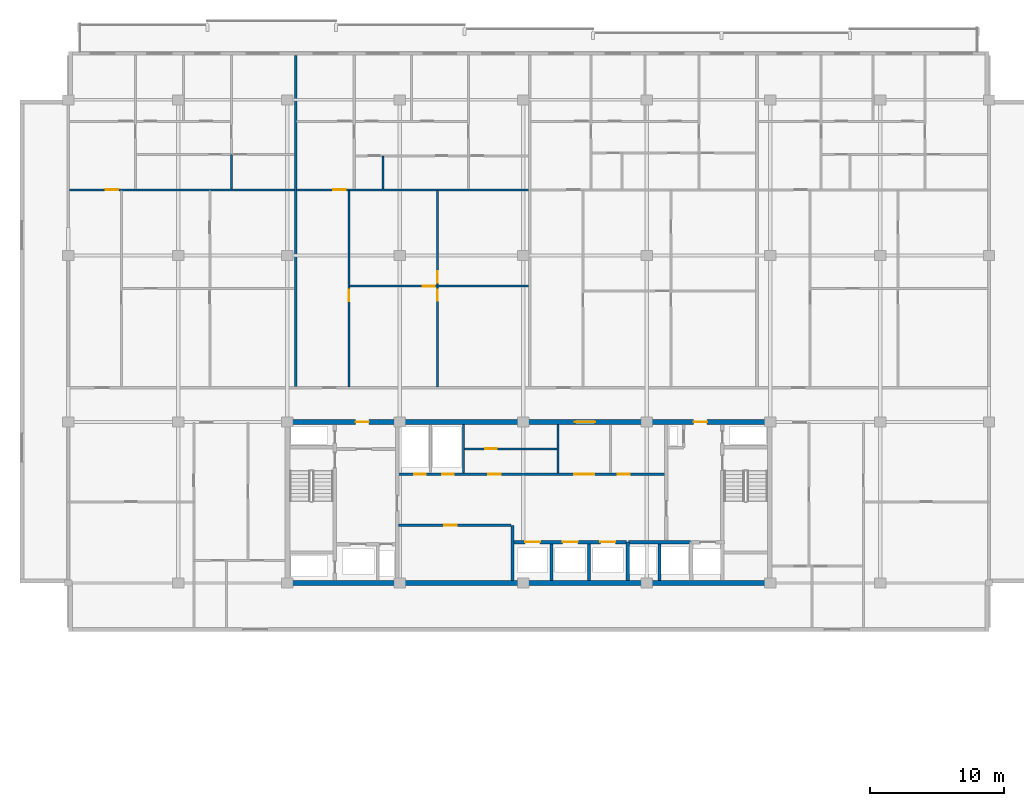
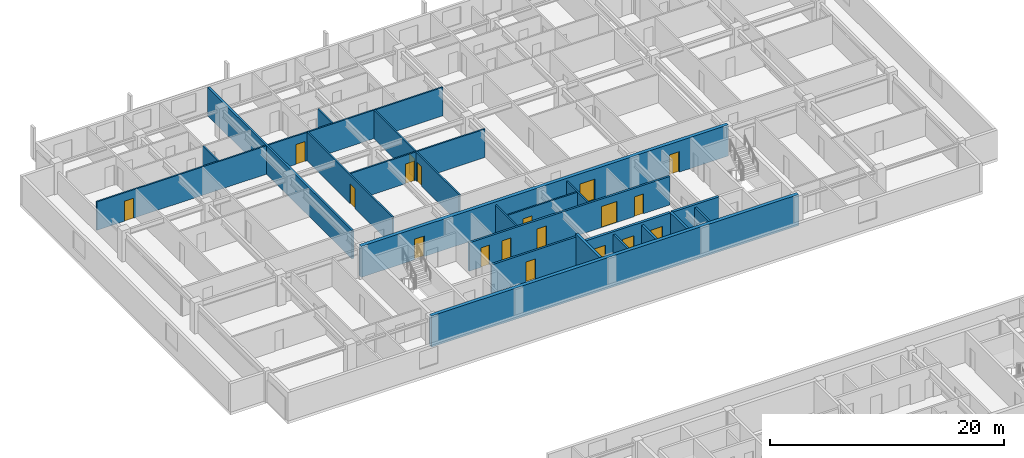
# One storey, part 12 of 23: 22 walls, 19 doors, 19 openings.
"""IFC4 building model written with IfcOpenShell, lengths in metres."""

from ifc_helpers import new_model, si_unit, direction, frame, frame_2d, origin, place, context, subcontext, project, spatial, rectangle, extrude, material, layer, layer_set, type_object, element, fill, save


model = new_model("IFC4")

# Units and contexts
model_context = context("Model", 3, precision=1e-05, world=origin(), true_north=direction((0.0, 1.0)))
body_context = subcontext(model_context, "Body", "Model", "MODEL_VIEW")
ifc_project = project(units=[si_unit("LENGTHUNIT", "METRE"), si_unit("AREAUNIT", "SQUARE_METRE"), si_unit("VOLUMEUNIT", "CUBIC_METRE"), si_unit("PLANEANGLEUNIT", "RADIAN"), si_unit("MASSUNIT", "GRAM", prefix="KILO")], contexts=[model_context])

# Site, building, storey
site_placement = place(None, origin())
site = spatial("IfcSite", under=ifc_project, at=site_placement, CompositionType="ELEMENT")
building_placement = place(site_placement, origin())
building = spatial("IfcBuilding", under=site, at=building_placement, Name="Korimba Cascade Residences", CompositionType="ELEMENT")
storey_placement = place(building_placement, frame((0.0, 0.0, 165.35009765625)))
storey = spatial("IfcBuildingStorey", under=building, at=storey_placement, Name="L47", CompositionType="ELEMENT", Elevation=165.35009765625)

# Wall
ifc_material_1 = material(Name="Concrete C65/80", Category="concrete")
ifc_layer_1 = layer(ifc_material_1, 0.35009765625)
ifc_layer_set_1 = layer_set([ifc_layer_1], Name="Concrete C65/80")
wall_type_1 = type_object("IfcWallType", Name="WAL-CORE-350", PredefinedType="SHEAR", material=ifc_layer_set_1)
wall_1_placement = place(storey_placement, frame((75.949951171875, 55.199951171875, 0.0), z_axis=(0.0, 0.0, 1.0), x_axis=(1.0, 0.0, 0.0)))
element("IfcWall", 1, at=wall_1_placement, inside=storey, type_object=wall_type_1, Name="L47 Core Shear Wall CW-L47-T1-S", PredefinedType="SHEAR", context=body_context, shape_type="SweptSolid", body=[
    extrude(rectangle(XDim=36.300048828125, YDim=0.35009765625, at=frame_2d((18.14990234375, 0.0))), origin(), (0.0, 0.0, 1.0), 3.25),
])

# Wall, openings, doors
wall_2_placement = place(storey_placement, frame((75.949951171875, 67.199951171875, 0.0), z_axis=(0.0, 0.0, 1.0), x_axis=(1.0, 0.0, 0.0)))
wall_2 = element("IfcWall", 2, at=wall_2_placement, inside=storey, type_object=wall_type_1, Name="L47 Core Shear Wall CW-L47-T1-N", PredefinedType="SHEAR", context=body_context, shape_type="SweptSolid", body=[
    extrude(rectangle(XDim=36.300048828125, YDim=0.35009765625, at=frame_2d((18.14990234375, 0.0))), origin(), (0.0, 0.0, 1.0), 3.25),
])
opening_1_placement = place(wall_2_placement, frame((5.25, 0.0, 0.0)))
opening_1 = element("IfcOpeningElement", 3, at=opening_1_placement, cuts=wall_2, Name="Opening D-FD5", PredefinedType="OPENING", context=body_context, shape_type="SweptSolid", body=[
    extrude(rectangle(XDim=1.0, YDim=2.14990234375, at=frame_2d((0.5, 1.074951171875))), frame((0.0, 0.18505859375, 0.0), z_axis=(0.0, -1.0, 0.0), x_axis=(1.0, 0.0, 0.0)), (0.0, 0.0, 1.0), 0.3701171875),
])
opening_2_placement = place(wall_2_placement, frame((21.60009765625, 0.0, 0.0)))
opening_2 = element("IfcOpeningElement", 4, at=opening_2_placement, cuts=wall_2, Name="Opening D-FD8", PredefinedType="OPENING", context=body_context, shape_type="SweptSolid", body=[
    extrude(rectangle(XDim=1.5, YDim=2.199951171875, at=frame_2d((0.75, 1.10009765625))), frame((0.0, 0.18505859375, 0.0), z_axis=(0.0, -1.0, 0.0), x_axis=(1.0, 0.0, 0.0)), (0.0, 0.0, 1.0), 0.3701171875),
])
opening_3_placement = place(wall_2_placement, frame((30.449951171875, 0.0, 0.0)))
opening_3 = element("IfcOpeningElement", 5, at=opening_3_placement, cuts=wall_2, Name="Opening D-FD5", PredefinedType="OPENING", context=body_context, shape_type="SweptSolid", body=[
    extrude(rectangle(XDim=1.0, YDim=2.14990234375, at=frame_2d((0.5, 1.074951171875))), frame((0.0, 0.18505859375, 0.0), z_axis=(0.0, -1.0, 0.0), x_axis=(1.0, 0.0, 0.0)), (0.0, 0.0, 1.0), 0.3701171875),
])
ifc_material_2 = material(Name="Fire-Rated Acoustic Timber Vestibule Door", Category="wood")
door_type_1 = type_object("IfcDoorType", Name="DR-FD90-1000", OperationType="NOTDEFINED", PredefinedType="DOOR", material=ifc_material_2)
door_1_placement = place(opening_1_placement, origin())
door_1 = element("IfcDoor", 6, at=door_1_placement, inside=storey, type_object=door_type_1, Name="L47 T1 West Core Vestibule Fire Door", OperationType="SINGLE_SWING_LEFT", OverallHeight=2.14990234375, OverallWidth=1.0, PredefinedType="DOOR", context=body_context, shape_type="SweptSolid", body=[
    extrude(rectangle(XDim=1.0, YDim=2.14990234375, at=frame_2d((0.5, 1.074951171875))), frame((0.0, 0.02490234375, 0.0), z_axis=(0.0, -1.0, 0.0), x_axis=(1.0, 0.0, 0.0)), (0.0, 0.0, 1.0), 0.050048828125),
])
fill(opening_1, door_1)
door_2_placement = place(opening_3_placement, origin())
door_2 = element("IfcDoor", 7, at=door_2_placement, inside=storey, type_object=door_type_1, Name="L47 T1 East Firefighting Vestibule Fire Door", OperationType="SINGLE_SWING_RIGHT", OverallHeight=2.14990234375, OverallWidth=1.0, PredefinedType="DOOR", context=body_context, shape_type="SweptSolid", body=[
    extrude(rectangle(XDim=1.0, YDim=2.14990234375, at=frame_2d((0.5, 1.074951171875))), frame((0.0, 0.02490234375, 0.0), z_axis=(0.0, -1.0, 0.0), x_axis=(1.0, 0.0, 0.0)), (0.0, 0.0, 1.0), 0.050048828125),
])
fill(opening_3, door_2)
ifc_material_3 = material(Name="Fire-Rated Glazed Lift Lobby Double Door", Category="glass")
door_type_2 = type_object("IfcDoorType", Name="DR-FD90-1500", OperationType="NOTDEFINED", PredefinedType="DOOR", material=ifc_material_3)
door_3_placement = place(opening_2_placement, origin())
door_3 = element("IfcDoor", 8, at=door_3_placement, inside=storey, type_object=door_type_2, Name="L47 T1 Lift Lobby Fire Door", OperationType="DOUBLE_DOOR_SINGLE_SWING", OverallHeight=2.199951171875, OverallWidth=1.5, PredefinedType="DOOR", context=body_context, shape_type="SweptSolid", body=[
    extrude(rectangle(XDim=1.5, YDim=2.199951171875, at=frame_2d((0.75, 1.10009765625))), frame((0.0, 0.02490234375, 0.0), z_axis=(0.0, -1.0, 0.0), x_axis=(1.0, 0.0, 0.0)), (0.0, 0.0, 1.0), 0.050048828125),
])
fill(opening_2, door_3)

# Walls
ifc_material_4 = material(Name="Precast concrete C40/50", Category="concrete")
ifc_layer_2 = layer(ifc_material_4, 0.199951171875)
ifc_layer_set_2 = layer_set([ifc_layer_2], Name="Precast concrete C40/50")
wall_type_2 = type_object("IfcWallType", Name="WAL-IT-200", PredefinedType="PARTITIONING", material=ifc_layer_set_2)
wall_3_placement = place(storey_placement, frame((76.735107421875, 69.830078125, 0.0), z_axis=(0.0, 0.0, 1.0), x_axis=(0.0, 1.0, 0.0)))
element("IfcWall", 9, at=wall_3_placement, inside=storey, type_object=wall_type_2, Name="L47 Partition Wall WAL-L47-T1-DEM-1", PredefinedType="PARTITIONING", context=body_context, shape_type="SweptSolid", body=[
    extrude(rectangle(XDim=24.669921875, YDim=0.199951171875, at=frame_2d((12.3349609375, 0.0))), origin(), (0.0, 0.0, 1.0), 2.969970703125),
])
ifc_material_5 = material(Name="Insulated Acoustic Stud Partition", Category="gypsum")
ifc_layer_3 = layer(ifc_material_5, 0.14990234375)
ifc_layer_set_3 = layer_set([ifc_layer_3], Name="Insulated Acoustic Stud Partition")
wall_type_3 = type_object("IfcWallType", Name="WAL-PART-150", PredefinedType="PARTITIONING", material=ifc_layer_set_3)
wall_4_placement = place(storey_placement, frame((89.25, 63.39990234375, 0.0), z_axis=(0.0, 0.0, 1.0), x_axis=(0.0, 1.0, 0.0)))
element("IfcWall", 10, at=wall_4_placement, inside=storey, type_object=wall_type_3, Name="L47 Partition Wall CW-L47-T1-PRDIV", PredefinedType="PARTITIONING", context=body_context, shape_type="SweptSolid", body=[
    extrude(rectangle(XDim=3.60009765625, YDim=0.14990234375, at=frame_2d((1.800048828125, 0.0))), origin(), (0.0, 0.0, 1.0), 2.969970703125),
])

# Wall, opening, door
wall_5_placement = place(storey_placement, frame((89.25, 65.199951171875, 0.0), z_axis=(0.0, 0.0, 1.0), x_axis=(1.0, 0.0, 0.0)))
wall_5 = element("IfcWall", 11, at=wall_5_placement, inside=storey, type_object=wall_type_3, Name="L47 Partition Wall CW-L47-T1-CA2HZ", PredefinedType="PARTITIONING", context=body_context, shape_type="SweptSolid", body=[
    extrude(rectangle(XDim=7.050048828125, YDim=0.14990234375, at=frame_2d((3.52490234375, 0.0))), origin(), (0.0, 0.0, 1.0), 2.969970703125),
])
opening_4_placement = place(wall_5_placement, frame((1.60009765625, 0.0, 0.0)))
opening_4 = element("IfcOpeningElement", 12, at=opening_4_placement, cuts=wall_5, Name="Opening D-IN2", PredefinedType="OPENING", context=body_context, shape_type="SweptSolid", body=[
    extrude(rectangle(XDim=0.8798828125, YDim=2.06005859375, at=frame_2d((0.43994140625, 1.030029296875))), frame((0.0, 0.0849609375, 0.0), z_axis=(0.0, -1.0, 0.0), x_axis=(1.0, 0.0, 0.0)), (0.0, 0.0, 1.0), 0.169921875),
])
ifc_material_6 = material(Name="Acoustic Timber Bedroom Door", Category="wood")
door_type_3 = type_object("IfcDoorType", Name="DR-INT-880", OperationType="NOTDEFINED", PredefinedType="DOOR", material=ifc_material_6)
door_4_placement = place(opening_4_placement, origin())
door_4 = element("IfcDoor", 13, at=door_4_placement, inside=storey, type_object=door_type_3, Name="L47 Pram Store Door", OperationType="SINGLE_SWING_RIGHT", OverallHeight=2.06005859375, OverallWidth=0.8798828125, PredefinedType="DOOR", context=body_context, shape_type="SweptSolid", body=[
    extrude(rectangle(XDim=0.8798828125, YDim=2.06005859375, at=frame_2d((0.43994140625, 1.030029296875))), frame((0.0, 0.02490234375, 0.0), z_axis=(0.0, -1.0, 0.0), x_axis=(1.0, 0.0, 0.0)), (0.0, 0.0, 1.0), 0.050048828125),
])
fill(opening_4, door_4)

# Walls
wall_6_placement = place(storey_placement, frame((96.300048828125, 63.39990234375, 0.0), z_axis=(0.0, 0.0, 1.0), x_axis=(0.0, 1.0, 0.0)))
element("IfcWall", 14, at=wall_6_placement, inside=storey, type_object=wall_type_3, Name="L47 Partition Wall CW-L47-T1-THW", PredefinedType="PARTITIONING", context=body_context, shape_type="SweptSolid", body=[
    extrude(rectangle(XDim=3.60009765625, YDim=0.14990234375, at=frame_2d((1.800048828125, 0.0))), origin(), (0.0, 0.0, 1.0), 2.969970703125),
])
wall_7_placement = place(storey_placement, frame((71.965087890625, 84.5400390625, 0.0), z_axis=(0.0, 0.0, 1.0), x_axis=(0.0, 1.0, 0.0)))
element("IfcWall", 15, at=wall_7_placement, inside=storey, type_object=wall_type_3, Name="L47 Partition Wall WAL-L47-T1-U01-VBATH", PredefinedType="PARTITIONING", context=body_context, shape_type="SweptSolid", body=[
    extrude(rectangle(XDim=2.580078125, YDim=0.14990234375, at=frame_2d((1.2900390625, 0.0))), origin(), (0.0, 0.0, 1.0), 2.969970703125),
])

# Wall, opening, door
wall_8_placement = place(storey_placement, frame((59.8798828125, 84.5, 0.0), z_axis=(0.0, 0.0, 1.0), x_axis=(1.0, 0.0, 0.0)))
wall_8 = element("IfcWall", 16, at=wall_8_placement, inside=storey, type_object=wall_type_3, Name="L47 Partition Wall WAL-L47-T1-U01-MW", PredefinedType="PARTITIONING", context=body_context, shape_type="SweptSolid", body=[
    extrude(rectangle(XDim=16.775146484375, YDim=0.14990234375, at=frame_2d((8.3876953125, 0.0))), origin(), (0.0, 0.0, 1.0), 2.969970703125),
])
opening_5_placement = place(wall_8_placement, frame((2.719970703125, 0.0, 0.0)))
opening_5 = element("IfcOpeningElement", 17, at=opening_5_placement, cuts=wall_8, Name="Opening D-IN1", PredefinedType="OPENING", context=body_context, shape_type="SweptSolid", body=[
    extrude(rectangle(XDim=0.919921875, YDim=2.080078125, at=frame_2d((0.4599609375, 1.0400390625))), frame((0.0, 0.0849609375, 0.0), z_axis=(0.0, -1.0, 0.0), x_axis=(1.0, 0.0, 0.0)), (0.0, 0.0, 1.0), 0.169921875),
])
ifc_material_7 = material(Name="Acoustic Timber Living Door", Category="wood")
door_type_4 = type_object("IfcDoorType", Name="DR-INT-920", OperationType="NOTDEFINED", PredefinedType="DOOR", material=ifc_material_7)
door_5_placement = place(opening_5_placement, origin())
door_5 = element("IfcDoor", 18, at=door_5_placement, inside=storey, type_object=door_type_4, Name="L47-T1-U01 Kitchen Door", OperationType="SINGLE_SWING_LEFT", OverallHeight=2.080078125, OverallWidth=0.919921875, PredefinedType="DOOR", context=body_context, shape_type="SweptSolid", body=[
    extrude(rectangle(XDim=0.919921875, YDim=2.080078125, at=frame_2d((0.4599609375, 1.0400390625))), frame((0.0, 0.02490234375, 0.0), z_axis=(0.0, -1.0, 0.0), x_axis=(1.0, 0.0, 0.0)), (0.0, 0.0, 1.0), 0.050048828125),
])
fill(opening_5, door_5)

# Wall, openings, doors
wall_9_placement = place(storey_placement, frame((87.31005859375, 69.81005859375, 0.0), z_axis=(0.0, 0.0, 1.0), x_axis=(0.0, 1.0, 0.0)))
wall_9 = element("IfcWall", 19, at=wall_9_placement, inside=storey, type_object=wall_type_3, Name="L47 Partition Wall WAL-L47-T1-U02-FMV", PredefinedType="PARTITIONING", context=body_context, shape_type="SweptSolid", body=[
    extrude(rectangle(XDim=14.64990234375, YDim=0.14990234375, at=frame_2d((7.324951171875, 0.0))), origin(), (0.0, 0.0, 1.0), 2.969970703125),
])
opening_6_placement = place(wall_9_placement, frame((6.4150390625, 0.0, 0.0)))
opening_6 = element("IfcOpeningElement", 20, at=opening_6_placement, cuts=wall_9, Name="Opening D-BT1", PredefinedType="OPENING", context=body_context, shape_type="SweptSolid", body=[
    extrude(rectangle(XDim=0.840087890625, YDim=2.0400390625, at=frame_2d((0.419921875, 1.02001953125))), frame((0.0, 0.0849609375, 0.0), z_axis=(0.0, -1.0, 0.0), x_axis=(1.0, 0.0, 0.0)), (0.0, 0.0, 1.0), 0.169921875),
])
opening_7_placement = place(wall_9_placement, frame((7.7548828125, 0.0, 0.0)))
opening_7 = element("IfcOpeningElement", 21, at=opening_7_placement, cuts=wall_9, Name="Opening D-IN2", PredefinedType="OPENING", context=body_context, shape_type="SweptSolid", body=[
    extrude(rectangle(XDim=0.8798828125, YDim=2.06005859375, at=frame_2d((0.43994140625, 1.030029296875))), frame((0.0, 0.0849609375, 0.0), z_axis=(0.0, -1.0, 0.0), x_axis=(1.0, 0.0, 0.0)), (0.0, 0.0, 1.0), 0.169921875),
])
ifc_material_8 = material(Name="Moisture-Resistant Bathroom Timber Door", Category="wood")
door_type_5 = type_object("IfcDoorType", Name="DR-INT-850", OperationType="NOTDEFINED", PredefinedType="DOOR", material=ifc_material_8)
door_6_placement = place(opening_6_placement, origin())
door_6 = element("IfcDoor", 22, at=door_6_placement, inside=storey, type_object=door_type_5, Name="L47-T1-U02 Wardrobe Door", OperationType="SINGLE_SWING_LEFT", OverallHeight=2.0400390625, OverallWidth=0.840087890625, PredefinedType="DOOR", context=body_context, shape_type="SweptSolid", body=[
    extrude(rectangle(XDim=0.840087890625, YDim=2.0400390625, at=frame_2d((0.419921875, 1.02001953125))), frame((0.0, 0.02490234375, 0.0), z_axis=(0.0, -1.0, 0.0), x_axis=(1.0, 0.0, 0.0)), (0.0, 0.0, 1.0), 0.050048828125),
])
fill(opening_6, door_6)
door_7_placement = place(opening_7_placement, origin())
door_7 = element("IfcDoor", 23, at=door_7_placement, inside=storey, type_object=door_type_3, Name="L47-T1-U02 Music Lounge Door", OperationType="SINGLE_SWING_RIGHT", OverallHeight=2.06005859375, OverallWidth=0.8798828125, PredefinedType="DOOR", context=body_context, shape_type="SweptSolid", body=[
    extrude(rectangle(XDim=0.8798828125, YDim=2.06005859375, at=frame_2d((0.43994140625, 1.030029296875))), frame((0.0, 0.02490234375, 0.0), z_axis=(0.0, -1.0, 0.0), x_axis=(1.0, 0.0, 0.0)), (0.0, 0.0, 1.0), 0.050048828125),
])
fill(opening_7, door_7)

# Wall, opening, door
wall_10_placement = place(storey_placement, frame((80.76513671875, 77.31494140625, 0.0), z_axis=(0.0, 0.0, 1.0), x_axis=(1.0, 0.0, 0.0)))
wall_10 = element("IfcWall", 24, at=wall_10_placement, inside=storey, type_object=wall_type_3, Name="L47 Partition Wall WAL-L47-T1-U02-FMH", PredefinedType="PARTITIONING", context=body_context, shape_type="SweptSolid", body=[
    extrude(rectangle(XDim=13.329833984375, YDim=0.14990234375, at=frame_2d((6.6650390625, 0.0))), origin(), (0.0, 0.0, 1.0), 2.969970703125),
])
opening_8_placement = place(wall_10_placement, frame((5.445068359375, 0.0, 0.0)))
opening_8 = element("IfcOpeningElement", 25, at=opening_8_placement, cuts=wall_10, Name="Opening D-IN2", PredefinedType="OPENING", context=body_context, shape_type="SweptSolid", body=[
    extrude(rectangle(XDim=0.8798828125, YDim=2.06005859375, at=frame_2d((0.43994140625, 1.030029296875))), frame((0.0, 0.0849609375, 0.0), z_axis=(0.0, -1.0, 0.0), x_axis=(1.0, 0.0, 0.0)), (0.0, 0.0, 1.0), 0.169921875),
])
door_8_placement = place(opening_8_placement, origin())
door_8 = element("IfcDoor", 26, at=door_8_placement, inside=storey, type_object=door_type_3, Name="L47-T1-U02 Library Salon Door", OperationType="SINGLE_SWING_LEFT", OverallHeight=2.06005859375, OverallWidth=0.8798828125, PredefinedType="DOOR", context=body_context, shape_type="SweptSolid", body=[
    extrude(rectangle(XDim=0.8798828125, YDim=2.06005859375, at=frame_2d((0.43994140625, 1.030029296875))), frame((0.0, 0.02490234375, 0.0), z_axis=(0.0, -1.0, 0.0), x_axis=(1.0, 0.0, 0.0)), (0.0, 0.0, 1.0), 0.050048828125),
])
fill(opening_8, door_8)

wall_11_placement = place(storey_placement, frame((80.705078125, 69.81005859375, 0.0), z_axis=(0.0, 0.0, 1.0), x_axis=(0.0, 1.0, 0.0)))
wall_11 = element("IfcWall", 27, at=wall_11_placement, inside=storey, type_object=wall_type_3, Name="L47 Partition Wall WAL-L47-T1-U02-FV", PredefinedType="PARTITIONING", context=body_context, shape_type="SweptSolid", body=[
    extrude(rectangle(XDim=14.64990234375, YDim=0.14990234375, at=frame_2d((7.324951171875, 0.0))), origin(), (0.0, 0.0, 1.0), 2.969970703125),
])
opening_9_placement = place(wall_11_placement, frame((6.375, 0.0, 0.0)))
opening_9 = element("IfcOpeningElement", 28, at=opening_9_placement, cuts=wall_11, Name="Opening D-IN2", PredefinedType="OPENING", context=body_context, shape_type="SweptSolid", body=[
    extrude(rectangle(XDim=0.8798828125, YDim=2.06005859375, at=frame_2d((0.43994140625, 1.030029296875))), frame((0.0, 0.0849609375, 0.0), z_axis=(0.0, -1.0, 0.0), x_axis=(1.0, 0.0, 0.0)), (0.0, 0.0, 1.0), 0.169921875),
])
door_9_placement = place(opening_9_placement, origin())
door_9 = element("IfcDoor", 29, at=door_9_placement, inside=storey, type_object=door_type_3, Name="L47-T1-U02 Media Lounge Door", OperationType="SINGLE_SWING_RIGHT", OverallHeight=2.06005859375, OverallWidth=0.8798828125, PredefinedType="DOOR", context=body_context, shape_type="SweptSolid", body=[
    extrude(rectangle(XDim=0.8798828125, YDim=2.06005859375, at=frame_2d((0.43994140625, 1.030029296875))), frame((0.0, 0.02490234375, 0.0), z_axis=(0.0, -1.0, 0.0), x_axis=(1.0, 0.0, 0.0)), (0.0, 0.0, 1.0), 0.050048828125),
])
fill(opening_9, door_9)

# Wall
wall_12_placement = place(storey_placement, frame((83.255126953125, 84.5400390625, 0.0), z_axis=(0.0, 0.0, 1.0), x_axis=(0.0, 1.0, 0.0)))
element("IfcWall", 30, at=wall_12_placement, inside=storey, type_object=wall_type_3, Name="L47 Partition Wall WAL-L47-T1-U02-VDRS", PredefinedType="PARTITIONING", context=body_context, shape_type="SweptSolid", body=[
    extrude(rectangle(XDim=2.469970703125, YDim=0.14990234375, at=frame_2d((1.23486328125, 0.0))), origin(), (0.0, 0.0, 1.0), 2.969970703125),
])

# Wall, opening, door
wall_13_placement = place(storey_placement, frame((76.815185546875, 84.5, 0.0), z_axis=(0.0, 0.0, 1.0), x_axis=(1.0, 0.0, 0.0)))
wall_13 = element("IfcWall", 31, at=wall_13_placement, inside=storey, type_object=wall_type_3, Name="L47 Partition Wall WAL-L47-T1-U02-MW", PredefinedType="PARTITIONING", context=body_context, shape_type="SweptSolid", body=[
    extrude(rectangle(XDim=17.27978515625, YDim=0.14990234375, at=frame_2d((8.639892578125, 0.0))), origin(), (0.0, 0.0, 1.0), 2.969970703125),
])
opening_10_placement = place(wall_13_placement, frame((2.719970703125, 0.0, 0.0)))
opening_10 = element("IfcOpeningElement", 32, at=opening_10_placement, cuts=wall_13, Name="Opening D-IN1", PredefinedType="OPENING", context=body_context, shape_type="SweptSolid", body=[
    extrude(rectangle(XDim=0.919921875, YDim=2.080078125, at=frame_2d((0.4599609375, 1.0400390625))), frame((0.0, 0.0849609375, 0.0), z_axis=(0.0, -1.0, 0.0), x_axis=(1.0, 0.0, 0.0)), (0.0, 0.0, 1.0), 0.169921875),
])
door_10_placement = place(opening_10_placement, origin())
door_10 = element("IfcDoor", 33, at=door_10_placement, inside=storey, type_object=door_type_4, Name="L47-T1-U02 Kitchen Door", OperationType="SINGLE_SWING_RIGHT", OverallHeight=2.080078125, OverallWidth=0.919921875, PredefinedType="DOOR", context=body_context, shape_type="SweptSolid", body=[
    extrude(rectangle(XDim=0.919921875, YDim=2.080078125, at=frame_2d((0.4599609375, 1.0400390625))), frame((0.0, 0.02490234375, 0.0), z_axis=(0.0, -1.0, 0.0), x_axis=(1.0, 0.0, 0.0)), (0.0, 0.0, 1.0), 0.050048828125),
])
fill(opening_10, door_10)

ifc_material_9 = material(Name="Concrete C40/50", Category="concrete")
ifc_layer_4 = layer(ifc_material_9, 0.199951171875)
ifc_layer_set_4 = layer_set([ifc_layer_4], Name="Concrete C40/50")
wall_type_4 = type_object("IfcWallType", Name="WAL-PART-200", PredefinedType="PARTITIONING", material=ifc_layer_set_4)
wall_14_placement = place(storey_placement, frame((84.419921875, 59.5, 0.0), z_axis=(0.0, 0.0, 1.0), x_axis=(1.0, 0.0, 0.0)))
wall_14 = element("IfcWall", 34, at=wall_14_placement, inside=storey, type_object=wall_type_4, Name="L47 Partition Wall CW-L47-T1-B1RN", PredefinedType="PARTITIONING", context=body_context, shape_type="SweptSolid", body=[
    extrude(rectangle(XDim=8.360107421875, YDim=0.199951171875, at=frame_2d((4.18017578125, 0.0))), origin(), (0.0, 0.0, 1.0), 2.969970703125),
])
opening_11_placement = place(wall_14_placement, frame((3.39990234375, 0.0, 0.0)))
opening_11 = element("IfcOpeningElement", 35, at=opening_11_placement, cuts=wall_14, Name="Opening D-ST1", PredefinedType="OPENING", context=body_context, shape_type="SweptSolid", body=[
    extrude(rectangle(XDim=0.919921875, YDim=2.080078125, at=frame_2d((0.4599609375, 1.0400390625))), frame((0.0, 0.10986328125, 0.0), z_axis=(0.0, -1.0, 0.0), x_axis=(1.0, 0.0, 0.0)), (0.0, 0.0, 1.0), 0.219970703125),
])
ifc_material_10 = material(Name="Fire-Rated Core Store Door", Category="wood")
door_type_6 = type_object("IfcDoorType", Name="DR-FD60-920", OperationType="NOTDEFINED", PredefinedType="DOOR", material=ifc_material_10)
door_11_placement = place(opening_11_placement, origin())
door_11 = element("IfcDoor", 36, at=door_11_placement, inside=storey, type_object=door_type_6, Name="L47 Resident Storage Door", OperationType="SINGLE_SWING_LEFT", OverallHeight=2.080078125, OverallWidth=0.919921875, PredefinedType="DOOR", context=body_context, shape_type="SweptSolid", body=[
    extrude(rectangle(XDim=0.919921875, YDim=2.080078125, at=frame_2d((0.4599609375, 1.0400390625))), frame((0.0, 0.02490234375, 0.0), z_axis=(0.0, -1.0, 0.0), x_axis=(1.0, 0.0, 0.0)), (0.0, 0.0, 1.0), 0.050048828125),
])
fill(opening_11, door_11)

# Walls
for number, where, z_axis, x_axis, name in (
    (37, (95.800048828125, 55.39990234375, 0.0), (0.0, 0.0, 1.0), (0.0, 1.0, 0.0), "L47 Partition Wall CW-L47-T1-B2D1"),
    (38, (98.60009765625, 55.39990234375, 0.0), (0.0, 0.0, 1.0), (0.0, 1.0, 0.0), "L47 Partition Wall CW-L47-T1-B2D2"),
    (39, (103.85009765625, 55.39990234375, 0.0), (0.0, 0.0, 1.0), (0.0, 1.0, 0.0), "L47 Partition Wall CW-L47-T1-B3D1"),
):
    element("IfcWall", number, at=place(storey_placement, frame(where, z_axis=z_axis, x_axis=x_axis)), inside=storey, type_object=wall_type_4, Name=name, PredefinedType="PARTITIONING", context=body_context, shape_type="SweptSolid", body=[
        extrude(rectangle(XDim=2.72021484375, YDim=0.199951171875, at=frame_2d((1.360107421875, 0.0))), origin(), (0.0, 0.0, 1.0), 2.969970703125),
    ])

# Wall, openings, doors
wall_15_placement = place(storey_placement, frame((84.419921875, 63.300048828125, 0.0), z_axis=(0.0, 0.0, 1.0), x_axis=(1.0, 0.0, 0.0)))
wall_15 = element("IfcWall", 40, at=wall_15_placement, inside=storey, type_object=wall_type_4, Name="L47 Partition Wall CW-L47-T1-SRVROW", PredefinedType="PARTITIONING", context=body_context, shape_type="SweptSolid", body=[
    extrude(rectangle(XDim=19.830078125, YDim=0.199951171875, at=frame_2d((9.9150390625, 0.0))), origin(), (0.0, 0.0, 1.0), 2.969970703125),
])
opening_12_placement = place(wall_15_placement, frame((1.14990234375, 0.0, 0.0)))
opening_12 = element("IfcOpeningElement", 41, at=opening_12_placement, cuts=wall_15, Name="Opening D-RS1", PredefinedType="OPENING", context=body_context, shape_type="SweptSolid", body=[
    extrude(rectangle(XDim=0.85009765625, YDim=2.050048828125, at=frame_2d((0.425048828125, 1.02490234375))), frame((0.0, 0.10986328125, 0.0), z_axis=(0.0, -1.0, 0.0), x_axis=(1.0, 0.0, 0.0)), (0.0, 0.0, 1.0), 0.219970703125),
])
opening_13_placement = place(wall_15_placement, frame((3.25, 0.0, 0.0)))
opening_13 = element("IfcOpeningElement", 42, at=opening_13_placement, cuts=wall_15, Name="Opening D-RS1", PredefinedType="OPENING", context=body_context, shape_type="SweptSolid", body=[
    extrude(rectangle(XDim=0.85009765625, YDim=2.050048828125, at=frame_2d((0.425048828125, 1.02490234375))), frame((0.0, 0.10986328125, 0.0), z_axis=(0.0, -1.0, 0.0), x_axis=(1.0, 0.0, 0.0)), (0.0, 0.0, 1.0), 0.219970703125),
])
opening_14_placement = place(wall_15_placement, frame((13.080078125, 0.0, 0.0)))
opening_14 = element("IfcOpeningElement", 43, at=opening_14_placement, cuts=wall_15, Name="Opening D-FD8", PredefinedType="OPENING", context=body_context, shape_type="SweptSolid", body=[
    extrude(rectangle(XDim=1.5, YDim=2.199951171875, at=frame_2d((0.75, 1.10009765625))), frame((0.0, 0.10986328125, 0.0), z_axis=(0.0, -1.0, 0.0), x_axis=(1.0, 0.0, 0.0)), (0.0, 0.0, 1.0), 0.219970703125),
])
opening_15_placement = place(wall_15_placement, frame((6.679931640625, 0.0, 0.0)))
opening_15 = element("IfcOpeningElement", 44, at=opening_15_placement, cuts=wall_15, Name="Opening D-IN1", PredefinedType="OPENING", context=body_context, shape_type="SweptSolid", body=[
    extrude(rectangle(XDim=0.919921875, YDim=2.080078125, at=frame_2d((0.4599609375, 1.0400390625))), frame((0.0, 0.10986328125, 0.0), z_axis=(0.0, -1.0, 0.0), x_axis=(1.0, 0.0, 0.0)), (0.0, 0.0, 1.0), 0.219970703125),
])
opening_16_placement = place(wall_15_placement, frame((16.330078125, 0.0, 0.0)))
opening_16 = element("IfcOpeningElement", 45, at=opening_16_placement, cuts=wall_15, Name="Opening D-IN2", PredefinedType="OPENING", context=body_context, shape_type="SweptSolid", body=[
    extrude(rectangle(XDim=0.8798828125, YDim=2.06005859375, at=frame_2d((0.43994140625, 1.030029296875))), frame((0.0, 0.10986328125, 0.0), z_axis=(0.0, -1.0, 0.0), x_axis=(1.0, 0.0, 0.0)), (0.0, 0.0, 1.0), 0.219970703125),
])
ifc_material_11 = material(Name="Fire-Rated Steel Riser Access Door", Category="steel")
door_type_7 = type_object("IfcDoorType", Name="DR-FD60-850", OperationType="NOTDEFINED", PredefinedType="DOOR", material=ifc_material_11)
door_12_placement = place(opening_12_placement, origin())
door_12 = element("IfcDoor", 46, at=door_12_placement, inside=storey, type_object=door_type_7, Name="L47 Electrical Riser Door", OperationType="SINGLE_SWING_LEFT", OverallHeight=2.050048828125, OverallWidth=0.85009765625, PredefinedType="DOOR", context=body_context, shape_type="SweptSolid", body=[
    extrude(rectangle(XDim=0.85009765625, YDim=2.050048828125, at=frame_2d((0.425048828125, 1.02490234375))), frame((0.0, 0.02490234375, 0.0), z_axis=(0.0, -1.0, 0.0), x_axis=(1.0, 0.0, 0.0)), (0.0, 0.0, 1.0), 0.050048828125),
])
fill(opening_12, door_12)
door_13_placement = place(opening_13_placement, origin())
door_13 = element("IfcDoor", 47, at=door_13_placement, inside=storey, type_object=door_type_7, Name="L47 Plumbing Riser Door", OperationType="SINGLE_SWING_RIGHT", OverallHeight=2.050048828125, OverallWidth=0.85009765625, PredefinedType="DOOR", context=body_context, shape_type="SweptSolid", body=[
    extrude(rectangle(XDim=0.85009765625, YDim=2.050048828125, at=frame_2d((0.425048828125, 1.02490234375))), frame((0.0, 0.02490234375, 0.0), z_axis=(0.0, -1.0, 0.0), x_axis=(1.0, 0.0, 0.0)), (0.0, 0.0, 1.0), 0.050048828125),
])
fill(opening_13, door_13)
door_14_placement = place(opening_14_placement, origin())
door_14 = element("IfcDoor", 48, at=door_14_placement, inside=storey, type_object=door_type_2, Name="L47 Lift Lobby Foyer Archway Door", OperationType="DOUBLE_DOOR_SINGLE_SWING", OverallHeight=2.199951171875, OverallWidth=1.5, PredefinedType="DOOR", context=body_context, shape_type="SweptSolid", body=[
    extrude(rectangle(XDim=1.5, YDim=2.199951171875, at=frame_2d((0.75, 1.10009765625))), frame((0.0, 0.02490234375, 0.0), z_axis=(0.0, -1.0, 0.0), x_axis=(1.0, 0.0, 0.0)), (0.0, 0.0, 1.0), 0.050048828125),
])
fill(opening_14, door_14)
door_15_placement = place(opening_16_placement, origin())
door_15 = element("IfcDoor", 49, at=door_15_placement, inside=storey, type_object=door_type_3, Name="L47 Staff WC Door", OperationType="SINGLE_SWING_RIGHT", OverallHeight=2.06005859375, OverallWidth=0.8798828125, PredefinedType="DOOR", context=body_context, shape_type="SweptSolid", body=[
    extrude(rectangle(XDim=0.8798828125, YDim=2.06005859375, at=frame_2d((0.43994140625, 1.030029296875))), frame((0.0, 0.02490234375, 0.0), z_axis=(0.0, -1.0, 0.0), x_axis=(1.0, 0.0, 0.0)), (0.0, 0.0, 1.0), 0.050048828125),
])
fill(opening_16, door_15)
door_16_placement = place(opening_15_placement, origin())
door_16 = element("IfcDoor", 50, at=door_16_placement, inside=storey, type_object=door_type_4, Name="L47 Locker Room Door", OperationType="SINGLE_SWING_LEFT", OverallHeight=2.080078125, OverallWidth=0.919921875, PredefinedType="DOOR", context=body_context, shape_type="SweptSolid", body=[
    extrude(rectangle(XDim=0.919921875, YDim=2.080078125, at=frame_2d((0.4599609375, 1.0400390625))), frame((0.0, 0.02490234375, 0.0), z_axis=(0.0, -1.0, 0.0), x_axis=(1.0, 0.0, 0.0)), (0.0, 0.0, 1.0), 0.050048828125),
])
fill(opening_15, door_16)

# Wall
ifc_material_12 = material(Name="Concrete C50/60", Category="concrete")
ifc_layer_5 = layer(ifc_material_12, 0.25)
ifc_layer_set_5 = layer_set([ifc_layer_5], Name="Concrete C50/60")
wall_type_5 = type_object("IfcWallType", Name="WAL-SHAFT-250", PredefinedType="SHEAR", material=ifc_layer_set_5)
wall_16_placement = place(storey_placement, frame((92.89990234375, 55.39990234375, 0.0), z_axis=(0.0, 0.0, 1.0), x_axis=(0.0, 1.0, 0.0)))
element("IfcWall", 51, at=wall_16_placement, inside=storey, type_object=wall_type_5, Name="L47 Core Shear Wall CW-L47-T1-B12DIV", PredefinedType="SHEAR", context=body_context, shape_type="SweptSolid", body=[
    extrude(rectangle(XDim=4.10009765625, YDim=0.25, at=frame_2d((2.050048828125, 0.0))), origin(), (0.0, 0.0, 1.0), 3.25),
])

# Wall, openings, doors
wall_17_placement = place(storey_placement, frame((93.02001953125, 58.25, 0.0), z_axis=(0.0, 0.0, 1.0), x_axis=(1.0, 0.0, 0.0)))
wall_17 = element("IfcWall", 52, at=wall_17_placement, inside=storey, type_object=wall_type_5, Name="L47 Core Shear Wall CW-L47-T1-B2N", PredefinedType="SHEAR", context=body_context, shape_type="SweptSolid", body=[
    extrude(rectangle(XDim=8.35986328125, YDim=0.25, at=frame_2d((4.179931640625, 0.0))), origin(), (0.0, 0.0, 1.0), 3.25),
])
opening_17_placement = place(wall_17_placement, frame((0.820068359375, 0.0, 0.0)))
opening_17 = element("IfcOpeningElement", 53, at=opening_17_placement, cuts=wall_17, Name="Opening LD-01", PredefinedType="OPENING", context=body_context, shape_type="SweptSolid", body=[
    extrude(rectangle(XDim=1.1201171875, YDim=2.1201171875, at=frame_2d((0.56005859375, 1.06005859375))), frame((0.0, 0.135009765625, 0.0), z_axis=(0.0, -1.0, 0.0), x_axis=(1.0, 0.0, 0.0)), (0.0, 0.0, 1.0), 0.27001953125),
])
opening_18_placement = place(wall_17_placement, frame((3.6201171875, 0.0, 0.0)))
opening_18 = element("IfcOpeningElement", 54, at=opening_18_placement, cuts=wall_17, Name="Opening LD-01", PredefinedType="OPENING", context=body_context, shape_type="SweptSolid", body=[
    extrude(rectangle(XDim=1.1201171875, YDim=2.1201171875, at=frame_2d((0.56005859375, 1.06005859375))), frame((0.0, 0.135009765625, 0.0), z_axis=(0.0, -1.0, 0.0), x_axis=(1.0, 0.0, 0.0)), (0.0, 0.0, 1.0), 0.27001953125),
])
opening_19_placement = place(wall_17_placement, frame((6.419921875, 0.0, 0.0)))
opening_19 = element("IfcOpeningElement", 55, at=opening_19_placement, cuts=wall_17, Name="Opening LD-01", PredefinedType="OPENING", context=body_context, shape_type="SweptSolid", body=[
    extrude(rectangle(XDim=1.1201171875, YDim=2.1201171875, at=frame_2d((0.56005859375, 1.06005859375))), frame((0.0, 0.135009765625, 0.0), z_axis=(0.0, -1.0, 0.0), x_axis=(1.0, 0.0, 0.0)), (0.0, 0.0, 1.0), 0.27001953125),
])
ifc_material_13 = material(Name="Stainless Steel Lift Landing Sliding Door", Category="steel")
door_type_8 = type_object("IfcDoorType", Name="DR-LIFT-1100", OperationType="NOTDEFINED", PredefinedType="DOOR", material=ifc_material_13)
door_17_placement = place(opening_17_placement, origin())
door_17 = element("IfcDoor", 56, at=door_17_placement, inside=storey, type_object=door_type_8, Name="L47 Lift Landing Door PL-W4", OperationType="SLIDING_TO_RIGHT", OverallHeight=2.1201171875, OverallWidth=1.1201171875, PredefinedType="DOOR", context=body_context, shape_type="SweptSolid", body=[
    extrude(rectangle(XDim=1.1201171875, YDim=2.1201171875, at=frame_2d((0.56005859375, 1.06005859375))), frame((0.0, 0.02490234375, 0.0), z_axis=(0.0, -1.0, 0.0), x_axis=(1.0, 0.0, 0.0)), (0.0, 0.0, 1.0), 0.050048828125),
])
fill(opening_17, door_17)
door_18_placement = place(opening_18_placement, origin())
door_18 = element("IfcDoor", 57, at=door_18_placement, inside=storey, type_object=door_type_8, Name="L47 Lift Landing Door PL-W5", OperationType="SLIDING_TO_RIGHT", OverallHeight=2.1201171875, OverallWidth=1.1201171875, PredefinedType="DOOR", context=body_context, shape_type="SweptSolid", body=[
    extrude(rectangle(XDim=1.1201171875, YDim=2.1201171875, at=frame_2d((0.56005859375, 1.06005859375))), frame((0.0, 0.02490234375, 0.0), z_axis=(0.0, -1.0, 0.0), x_axis=(1.0, 0.0, 0.0)), (0.0, 0.0, 1.0), 0.050048828125),
])
fill(opening_18, door_18)
door_19_placement = place(opening_19_placement, origin())
door_19 = element("IfcDoor", 58, at=door_19_placement, inside=storey, type_object=door_type_8, Name="L47 Lift Landing Door PL-W6", OperationType="SLIDING_TO_RIGHT", OverallHeight=2.1201171875, OverallWidth=1.1201171875, PredefinedType="DOOR", context=body_context, shape_type="SweptSolid", body=[
    extrude(rectangle(XDim=1.1201171875, YDim=2.1201171875, at=frame_2d((0.56005859375, 1.06005859375))), frame((0.0, 0.02490234375, 0.0), z_axis=(0.0, -1.0, 0.0), x_axis=(1.0, 0.0, 0.0)), (0.0, 0.0, 1.0), 0.050048828125),
])
fill(opening_19, door_19)

# Walls
wall_18_placement = place(storey_placement, frame((101.47998046875, 55.39990234375, 0.0), z_axis=(0.0, 0.0, 1.0), x_axis=(0.0, 1.0, 0.0)))
element("IfcWall", 59, at=wall_18_placement, inside=storey, type_object=wall_type_5, Name="L47 Core Shear Wall CW-L47-T1-B23DIV", PredefinedType="SHEAR", context=body_context, shape_type="SweptSolid", body=[
    extrude(rectangle(XDim=2.85009765625, YDim=0.25, at=frame_2d((1.425048828125, 0.0))), origin(), (0.0, 0.0, 1.0), 3.25),
])
wall_19_placement = place(storey_placement, frame((101.550048828125, 58.25, 0.0), z_axis=(0.0, 0.0, 1.0), x_axis=(1.0, 0.0, 0.0)))
element("IfcWall", 60, at=wall_19_placement, inside=storey, type_object=wall_type_5, Name="L47 Core Shear Wall CW-L47-T1-B3N", PredefinedType="SHEAR", context=body_context, shape_type="SweptSolid", body=[
    extrude(rectangle(XDim=4.599853515625, YDim=0.25, at=frame_2d((2.2998046875, 0.0))), origin(), (0.0, 0.0, 1.0), 3.25),
])

save(model, "model.ifc")
